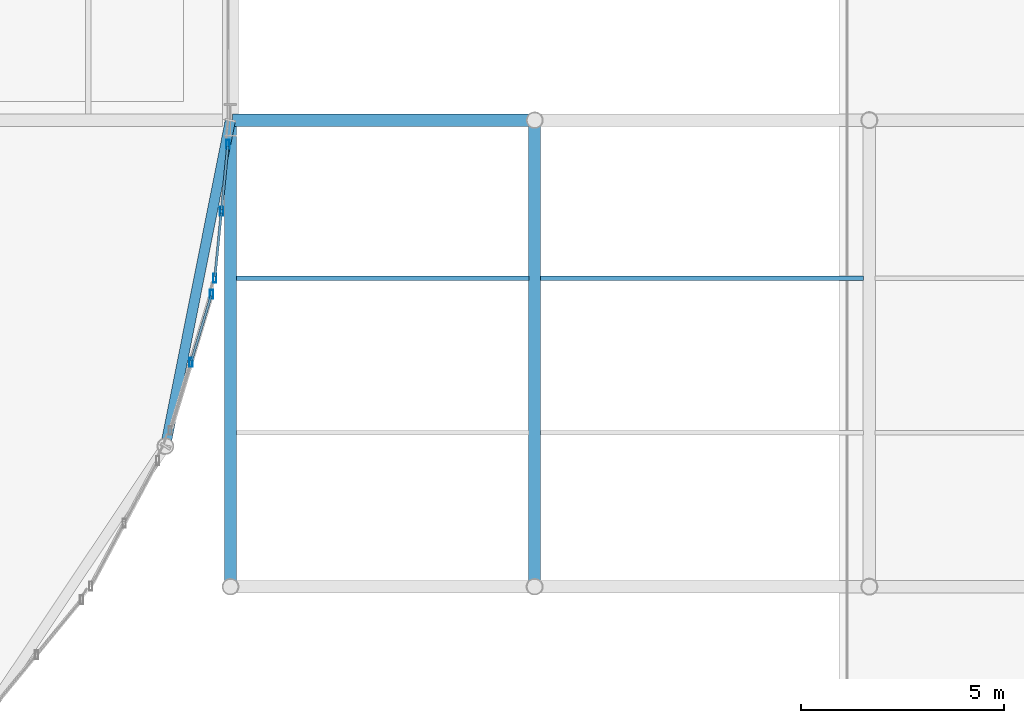
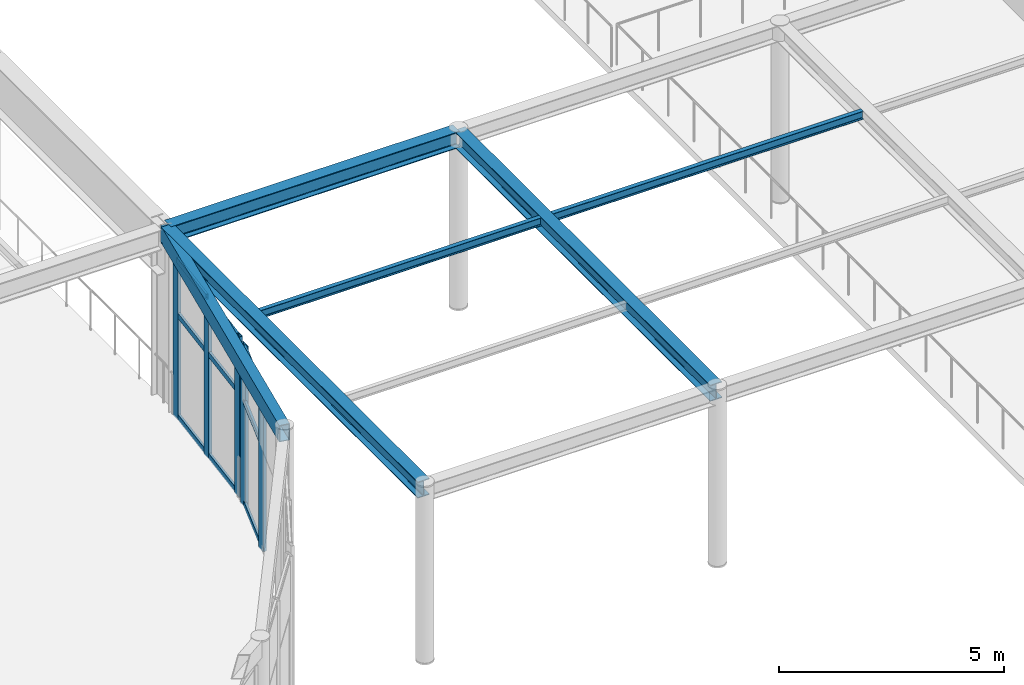
# One storey, part 51 of 143: 14 members, 6 beams, 2 elements without a shape of their own.
"""IFC4 building model written with IfcOpenShell, lengths in metres."""

from ifc_helpers import new_model, si_unit, direction, frame, origin, origin_2d, place, context, subcontext, project, spatial, hollow_rectangle, i_section, extrude, material, layer, layer_set, material_profile, profile_set, type_object, element, aggregate, save


model = new_model("IFC4")

# Units and contexts
model_context = context("Model", 3, precision=1e-05, world=origin(), true_north=direction((0.0, 1.0)))
body_context = subcontext(model_context, "Body", "Model", "MODEL_VIEW")
ifc_project = project(units=[si_unit("LENGTHUNIT", "METRE"), si_unit("AREAUNIT", "SQUARE_METRE"), si_unit("VOLUMEUNIT", "CUBIC_METRE"), si_unit("PLANEANGLEUNIT", "RADIAN"), si_unit("MASSUNIT", "GRAM", prefix="KILO")], contexts=[model_context])

# Site, building, storey
site_placement = place(None, origin())
site = spatial("IfcSite", under=ifc_project, at=site_placement, CompositionType="ELEMENT")
building_placement = place(site_placement, origin())
building = spatial("IfcBuilding", under=site, at=building_placement, Name="Marlcrest Central Station", CompositionType="ELEMENT")
storey_placement = place(building_placement, frame((0.0, 0.0, 4.800048828125)))
storey = spatial("IfcBuildingStorey", under=building, at=storey_placement, Name="L01", CompositionType="ELEMENT", Elevation=4.800048828125)

# Beams
ifc_material_1 = material(Name="Steel S355", Category="steel")
ifc_material_profile_1 = material_profile(ifc_material_1, i_section(OverallWidth=0.300048828125, OverallDepth=0.43994140625, WebThickness=0.011474609375, FlangeThickness=0.02099609375, FilletRadius=0.027099609375, at=origin_2d()), Name="HEA 450")
ifc_profile_set_1 = profile_set([ifc_material_profile_1], Name="Steel S355")
beam_type_1 = type_object("IfcBeamType", Name="BM-09", PredefinedType="BEAM", material=ifc_profile_set_1)
for number, where, z_axis, x_axis, name in (
    (1, (136.5, 11.050048828125, 4.594970703125), (0.0, 1.0, 0.0), (-1.0, 0.0, 0.0), "bm-BM-09-L01-01537"),
    (2, (129.0, 11.050048828125, 4.594970703125), (0.0, 1.0, 0.0), (-1.0, 0.0, 0.0), "bm-BM-09-L01-01539"),
):
    element("IfcBeam", number, at=place(storey_placement, frame(where, z_axis=z_axis, x_axis=x_axis)), inside=storey, type_object=beam_type_1, Name=name, PredefinedType="BEAM", context=body_context, shape_type="SweptSolid", body=[
        extrude(i_section(OverallWidth=0.300048828125, OverallDepth=0.43994140625, WebThickness=0.011474609375, FlangeThickness=0.02099609375, FilletRadius=0.027099609375, at=origin_2d()), origin(), (0.0, 0.0, 1.0), 11.39990234375),
    ])
beam_1_placement = place(storey_placement, frame((129.050048828125, 22.5, 4.594970703125), z_axis=(1.0, 0.0, 0.0), x_axis=(0.0, 1.0, 0.0)))
element("IfcBeam", 3, at=beam_1_placement, inside=storey, type_object=beam_type_1, Name="bm-BM-09-L01-01549", PredefinedType="BEAM", context=body_context, shape_type="SweptSolid", body=[
    extrude(i_section(OverallWidth=0.300048828125, OverallDepth=0.43994140625, WebThickness=0.011474609375, FlangeThickness=0.02099609375, FilletRadius=0.027099609375, at=origin_2d()), origin(), (0.0, 0.0, 1.0), 7.39990234375),
])
ifc_material_profile_2 = material_profile(ifc_material_1, i_section(OverallWidth=0.110107421875, OverallDepth=0.219970703125, WebThickness=0.005859375, FlangeThickness=0.00927734375, FilletRadius=0.011962890625, at=origin_2d()), Name="IPE 220")
ifc_profile_set_2 = profile_set([ifc_material_profile_2], Name="Steel S355")
beam_type_2 = type_object("IfcBeamType", Name="JS-02", PredefinedType="JOIST", material=ifc_profile_set_2)
beam_2_placement = place(storey_placement, frame((129.14501953125, 18.60009765625, 4.704833984375), z_axis=(1.0, 0.0, 0.0), x_axis=(0.0, 1.0, 0.0)))
element("IfcBeam", 4, at=beam_2_placement, inside=storey, type_object=beam_type_2, Name="bm-JS-02-L01-01546", PredefinedType="JOIST", context=body_context, shape_type="SweptSolid", body=[
    extrude(i_section(OverallWidth=0.110107421875, OverallDepth=0.219970703125, WebThickness=0.005859375, FlangeThickness=0.00927734375, FilletRadius=0.011962890625, at=origin_2d()), origin(), (0.0, 0.0, 1.0), 7.2099609375),
])
beam_3_placement = place(storey_placement, frame((136.64501953125, 18.60009765625, 4.704833984375), z_axis=(1.0, 0.0, 0.0), x_axis=(0.0, 1.0, 0.0)))
element("IfcBeam", 5, at=beam_3_placement, inside=storey, type_object=beam_type_2, Name="bm-JS-02-L01-01547", PredefinedType="JOIST", context=body_context, shape_type="SweptSolid", body=[
    extrude(i_section(OverallWidth=0.110107421875, OverallDepth=0.219970703125, WebThickness=0.005859375, FlangeThickness=0.00927734375, FilletRadius=0.011962890625, at=origin_2d()), origin(), (0.0, 0.0, 1.0), 7.9599609375),
])

# Curtain wall, members
ifc_material_2 = material(Name="Anodised aluminium and hurricane laminated glass", Category="aluminium")
ifc_layer = layer(ifc_material_2, 0.219970703125, Name="CW-U1")
ifc_layer_set = layer_set([ifc_layer], Name="Anodised aluminium and hurricane laminated glass")
curtain_wall_type = type_object("IfcCurtainWallType", Name="CW-U1", PredefinedType="USERDEFINED", material=ifc_layer_set)
curtain_wall_1_placement = place(storey_placement, origin())
curtain_wall_1 = element("IfcCurtainWall", 6, at=curtain_wall_1_placement, inside=storey, type_object=curtain_wall_type, Name="cw-L01-0023", ObjectType="UNITISED_CURTAIN_WALL", PredefinedType="USERDEFINED")
ifc_material_3 = material(Name="Anodised aluminium 6063-T6", Category="aluminium")
ifc_material_profile_3 = material_profile(ifc_material_3, hollow_rectangle(XDim=0.080078125, YDim=0.219970703125, WallThickness=0.006103515625, at=origin_2d()), Name="AA-RHS 220x80x6")
ifc_profile_set_3 = profile_set([ifc_material_profile_3], Name="Anodised aluminium 6063-T6")
member_type_1 = type_object("IfcMemberType", Name="ML-01", PredefinedType="MULLION", material=ifc_profile_set_3)
member_1_placement = place(storey_placement, frame((128.5361328125, 18.2060546875, -0.030029296875), z_axis=(0.0, 0.0, 1.0), x_axis=(1.0, 0.0, 0.0)))
member_1 = element("IfcMember", 7, at=member_1_placement, type_object=member_type_1, Name="cw-L01-0023-ml-0", PredefinedType="MULLION", context=body_context, shape_type="SweptSolid", body=[
    extrude(hollow_rectangle(XDim=0.080078125, YDim=0.219970703125, WallThickness=0.006103515625, at=origin_2d()), origin(), (0.0, 0.0, 1.0), 4.35986328125),
])
member_2_placement = place(storey_placement, frame((128.02734375, 16.5283203125, -0.030029296875), z_axis=(0.0, 0.0, 1.0), x_axis=(1.0, 0.0, 0.0)))
member_2 = element("IfcMember", 8, at=member_2_placement, type_object=member_type_1, Name="cw-L01-0023-ml-1", PredefinedType="MULLION", context=body_context, shape_type="SweptSolid", body=[
    extrude(hollow_rectangle(XDim=0.080078125, YDim=0.219970703125, WallThickness=0.006103515625, at=origin_2d()), origin(), (0.0, 0.0, 1.0), 4.35986328125),
])

curtain_wall_2_placement = place(storey_placement, origin())
curtain_wall_2 = element("IfcCurtainWall", 9, at=curtain_wall_2_placement, inside=storey, type_object=curtain_wall_type, Name="cw-L01-0024", ObjectType="UNITISED_CURTAIN_WALL", PredefinedType="USERDEFINED")
member_3_placement = place(storey_placement, frame((128.94091796875, 21.902099609375, -0.030029296875), z_axis=(0.0, 0.0, 1.0), x_axis=(1.0, 0.0, 0.0)))
member_3 = element("IfcMember", 10, at=member_3_placement, type_object=member_type_1, Name="cw-L01-0024-ml-0", PredefinedType="MULLION", context=body_context, shape_type="SweptSolid", body=[
    extrude(hollow_rectangle(XDim=0.080078125, YDim=0.219970703125, WallThickness=0.006103515625, at=origin_2d()), origin(), (0.0, 0.0, 1.0), 4.35986328125),
])
member_4_placement = place(storey_placement, frame((128.778564453125, 20.2548828125, -0.030029296875), z_axis=(0.0, 0.0, 1.0), x_axis=(1.0, 0.0, 0.0)))
member_4 = element("IfcMember", 11, at=member_4_placement, type_object=member_type_1, Name="cw-L01-0024-ml-1", PredefinedType="MULLION", context=body_context, shape_type="SweptSolid", body=[
    extrude(hollow_rectangle(XDim=0.080078125, YDim=0.219970703125, WallThickness=0.006103515625, at=origin_2d()), origin(), (0.0, 0.0, 1.0), 4.35986328125),
])
member_5_placement = place(storey_placement, frame((128.6162109375, 18.60791015625, -0.030029296875), z_axis=(0.0, 0.0, 1.0), x_axis=(1.0, 0.0, 0.0)))
member_5 = element("IfcMember", 12, at=member_5_placement, type_object=member_type_1, Name="cw-L01-0024-ml-2", PredefinedType="MULLION", context=body_context, shape_type="SweptSolid", body=[
    extrude(hollow_rectangle(XDim=0.080078125, YDim=0.219970703125, WallThickness=0.006103515625, at=origin_2d()), origin(), (0.0, 0.0, 1.0), 4.35986328125),
])

# Beam
ifc_material_profile_4 = material_profile(ifc_material_1, hollow_rectangle(XDim=0.25, YDim=0.449951171875, WallThickness=0.01611328125, at=origin_2d()), Name="RHS 450x250x16")
ifc_profile_set_4 = profile_set([ifc_material_profile_4], Name="Steel S355")
beam_type_3 = type_object("IfcBeamType", Name="SP-02", PredefinedType="SPANDREL", material=ifc_profile_set_4)
beam_4_placement = place(storey_placement, frame((127.40087890625, 14.464111328125, 4.58984375), z_axis=(0.19517056122, 0.980769316421, 0.0), x_axis=(-0.980769316421, 0.19517056122, 0.0)))
element("IfcBeam", 13, at=beam_4_placement, inside=storey, type_object=beam_type_3, Name="bm-SP-02-L01-01364", PredefinedType="SPANDREL", context=body_context, shape_type="SweptSolid", body=[
    extrude(hollow_rectangle(XDim=0.25, YDim=0.449951171875, WallThickness=0.01611328125, at=origin_2d()), origin(), (0.0, 0.0, 1.0), 8.193359375),
])

# Member
ifc_material_profile_5 = material_profile(ifc_material_3, hollow_rectangle(XDim=0.06005859375, YDim=0.14990234375, WallThickness=0.00390625, at=origin_2d()), Name="AA-RHS 150x60x4")
ifc_profile_set_5 = profile_set([ifc_material_profile_5], Name="Anodised aluminium 6063-T6")
member_type_2 = type_object("IfcMemberType", Name="TR-01", PredefinedType="USERDEFINED", material=ifc_profile_set_5)
member_6_placement = place(storey_placement, frame((128.525146484375, 18.169677734375, 0.0400390625), z_axis=(-0.29025787087, -0.95694846695, 0.0), x_axis=(0.95694846695, -0.29025787087, 0.0)))
member_6 = element("IfcMember", 14, at=member_6_placement, type_object=member_type_2, Name="cw-L01-0023-tr-0-sill", ObjectType="TRANSOM", PredefinedType="USERDEFINED", context=body_context, shape_type="SweptSolid", body=[
    extrude(hollow_rectangle(XDim=0.06005859375, YDim=0.14990234375, WallThickness=0.00390625, at=origin_2d()), origin(), (0.0, 0.0, 1.0), 1.67724609375),
])

member_7_placement = place(storey_placement, frame((128.525146484375, 18.169677734375, 2.794921875), z_axis=(-0.29025787087, -0.95694846695, 0.0), x_axis=(0.95694846695, -0.29025787087, 0.0)))
member_7 = element("IfcMember", 15, at=member_7_placement, type_object=member_type_2, Name="cw-L01-0023-tr-0-mid", ObjectType="TRANSOM", PredefinedType="USERDEFINED", context=body_context, shape_type="SweptSolid", body=[
    extrude(hollow_rectangle(XDim=0.06005859375, YDim=0.14990234375, WallThickness=0.00390625, at=origin_2d()), origin(), (0.0, 0.0, 1.0), 1.67724609375),
])

member_8_placement = place(storey_placement, frame((128.525146484375, 18.169677734375, 4.260009765625), z_axis=(-0.29025787087, -0.95694846695, 0.0), x_axis=(0.95694846695, -0.29025787087, 0.0)))
member_8 = element("IfcMember", 16, at=member_8_placement, type_object=member_type_2, Name="cw-L01-0023-tr-0-head", ObjectType="TRANSOM", PredefinedType="USERDEFINED", context=body_context, shape_type="SweptSolid", body=[
    extrude(hollow_rectangle(XDim=0.06005859375, YDim=0.14990234375, WallThickness=0.00390625, at=origin_2d()), origin(), (0.0, 0.0, 1.0), 1.67724609375),
])

aggregate(curtain_wall_1, [member_1, member_2, member_6, member_7, member_8])

member_9_placement = place(storey_placement, frame((128.937255859375, 21.8642578125, 0.0400390625), z_axis=(-0.098171914529, -0.995169470592, 0.0), x_axis=(0.995169470592, -0.098171914529, 0.0)))
member_9 = element("IfcMember", 17, at=member_9_placement, type_object=member_type_2, Name="cw-L01-0024-tr-0-sill", ObjectType="TRANSOM", PredefinedType="USERDEFINED", context=body_context, shape_type="SweptSolid", body=[
    extrude(hollow_rectangle(XDim=0.06005859375, YDim=0.14990234375, WallThickness=0.00390625, at=origin_2d()), origin(), (0.0, 0.0, 1.0), 1.5791015625),
])

member_10_placement = place(storey_placement, frame((128.937255859375, 21.8642578125, 2.794921875), z_axis=(-0.098171914529, -0.995169470592, 0.0), x_axis=(0.995169470592, -0.098171914529, 0.0)))
member_10 = element("IfcMember", 18, at=member_10_placement, type_object=member_type_2, Name="cw-L01-0024-tr-0-mid", ObjectType="TRANSOM", PredefinedType="USERDEFINED", context=body_context, shape_type="SweptSolid", body=[
    extrude(hollow_rectangle(XDim=0.06005859375, YDim=0.14990234375, WallThickness=0.00390625, at=origin_2d()), origin(), (0.0, 0.0, 1.0), 1.5791015625),
])

member_11_placement = place(storey_placement, frame((128.937255859375, 21.8642578125, 4.260009765625), z_axis=(-0.098171914529, -0.995169470592, 0.0), x_axis=(0.995169470592, -0.098171914529, 0.0)))
member_11 = element("IfcMember", 19, at=member_11_placement, type_object=member_type_2, Name="cw-L01-0024-tr-0-head", ObjectType="TRANSOM", PredefinedType="USERDEFINED", context=body_context, shape_type="SweptSolid", body=[
    extrude(hollow_rectangle(XDim=0.06005859375, YDim=0.14990234375, WallThickness=0.00390625, at=origin_2d()), origin(), (0.0, 0.0, 1.0), 1.5791015625),
])

member_12_placement = place(storey_placement, frame((128.77490234375, 20.217041015625, 0.0400390625), z_axis=(-0.098187021046, -0.995167980242, 0.0), x_axis=(0.995167980242, -0.098187021046, 0.0)))
member_12 = element("IfcMember", 20, at=member_12_placement, type_object=member_type_2, Name="cw-L01-0024-tr-1-sill", ObjectType="TRANSOM", PredefinedType="USERDEFINED", context=body_context, shape_type="SweptSolid", body=[
    extrude(hollow_rectangle(XDim=0.06005859375, YDim=0.14990234375, WallThickness=0.00390625, at=origin_2d()), origin(), (0.0, 0.0, 1.0), 1.578857421875),
])

member_13_placement = place(storey_placement, frame((128.77490234375, 20.217041015625, 2.794921875), z_axis=(-0.098187021046, -0.995167980242, 0.0), x_axis=(0.995167980242, -0.098187021046, 0.0)))
member_13 = element("IfcMember", 21, at=member_13_placement, type_object=member_type_2, Name="cw-L01-0024-tr-1-mid", ObjectType="TRANSOM", PredefinedType="USERDEFINED", context=body_context, shape_type="SweptSolid", body=[
    extrude(hollow_rectangle(XDim=0.06005859375, YDim=0.14990234375, WallThickness=0.00390625, at=origin_2d()), origin(), (0.0, 0.0, 1.0), 1.578857421875),
])

member_14_placement = place(storey_placement, frame((128.77490234375, 20.217041015625, 4.260009765625), z_axis=(-0.098187021046, -0.995167980242, 0.0), x_axis=(0.995167980242, -0.098187021046, 0.0)))
member_14 = element("IfcMember", 22, at=member_14_placement, type_object=member_type_2, Name="cw-L01-0024-tr-1-head", ObjectType="TRANSOM", PredefinedType="USERDEFINED", context=body_context, shape_type="SweptSolid", body=[
    extrude(hollow_rectangle(XDim=0.06005859375, YDim=0.14990234375, WallThickness=0.00390625, at=origin_2d()), origin(), (0.0, 0.0, 1.0), 1.578857421875),
])

aggregate(curtain_wall_2, [member_3, member_4, member_5, member_9, member_10, member_11, member_12, member_13, member_14])

save(model, "model.ifc")
